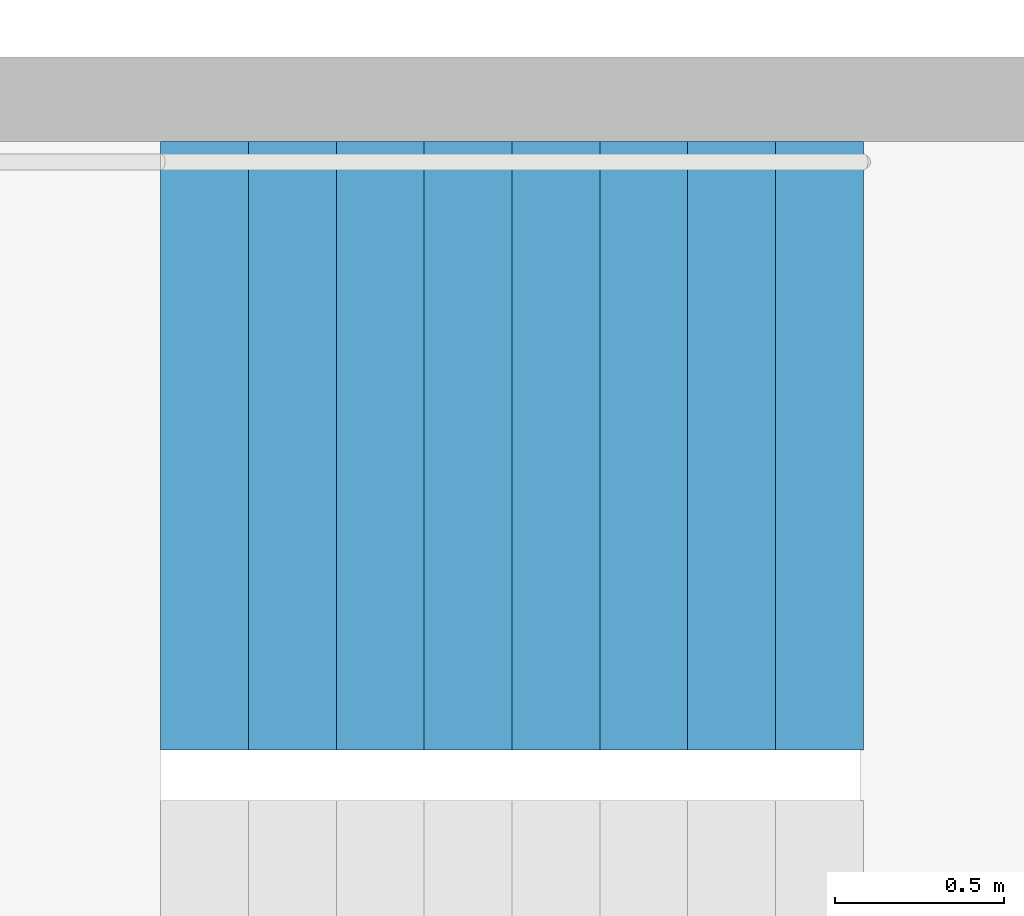
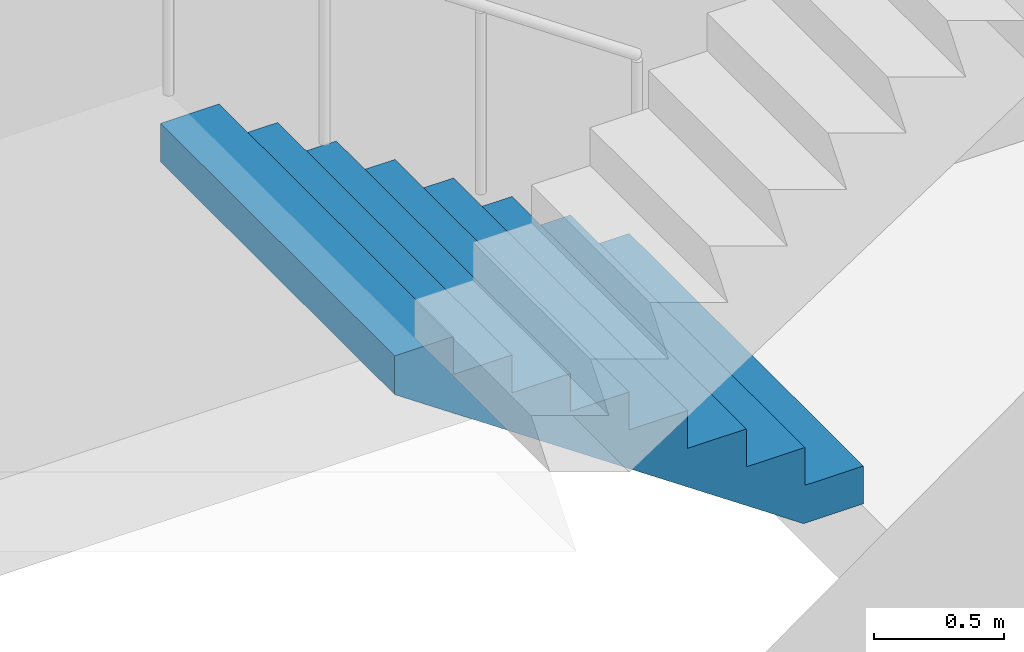
# One storey, part 19 of 26: 1 stair flight, 1 element without a shape of its own.
"""IFC4 building model written with IfcOpenShell, lengths in metres."""

from ifc_helpers import new_model, si_unit, direction, frame, origin, place, context, subcontext, project, spatial, triangles, material, type_object, element, aggregate, save


model = new_model("IFC4")

# Units and contexts
model_context = context("Model", 3, precision=1e-05, world=origin(), true_north=direction((0.0, 1.0)))
body_context = subcontext(model_context, "Body", "Model", "MODEL_VIEW")
ifc_project = project(units=[si_unit("LENGTHUNIT", "METRE"), si_unit("AREAUNIT", "SQUARE_METRE"), si_unit("VOLUMEUNIT", "CUBIC_METRE"), si_unit("PLANEANGLEUNIT", "RADIAN"), si_unit("MASSUNIT", "GRAM", prefix="KILO")], contexts=[model_context])

# Site, building, storey
site_placement = place(None, origin())
site = spatial("IfcSite", under=ifc_project, at=site_placement, CompositionType="ELEMENT")
building_placement = place(site_placement, origin())
building = spatial("IfcBuilding", under=site, at=building_placement, Name="Hakoniwa Tower and Hamabe Station Hall", CompositionType="ELEMENT")
storey_placement = place(building_placement, frame((0.0, 0.0, 134.199951171875)))
storey = spatial("IfcBuildingStorey", under=building, at=storey_placement, Name="L37", CompositionType="ELEMENT", Elevation=134.199951171875)

# Stair, stair flight
ifc_material_1 = material(Name="Concrete C40", Category="concrete")
stair_type = type_object("IfcStairType", Name="ESCAPE STAIR 1800", PredefinedType="HALF_TURN_STAIR", material=ifc_material_1)
stair_placement = place(storey_placement, origin())
stair = element("IfcStair", 1, at=stair_placement, inside=storey, type_object=stair_type, Name="Escape stair ST-2 L37", PredefinedType="HALF_TURN_STAIR")
ifc_material_2 = material(Name="Concrete C40", Category="concrete")
stair_flight_type = type_object("IfcStairFlightType", Name="STAIR FLIGHT 1800", PredefinedType="STRAIGHT", material=ifc_material_2)
stair_flight_placement = place(storey_placement, frame((-23.39990234375, -4.64990234375, 0.0), z_axis=(0.0, 0.0, 1.0), x_axis=(-1.0, 0.0, 0.0)))
stair_flight = element("IfcStairFlight", 2, at=stair_flight_placement, type_object=stair_flight_type, Name="ST-2 flight 1", NumberOfRisers=9, NumberOfTreads=8, PredefinedType="STRAIGHT", RiserHeight=0.177777778, TreadLength=0.26, context=body_context, shape_type="Tessellation", body=[
    triangles([(0.0, 0.89990234375, 0.0), (0.260009765625, 0.89990234375, 0.0), (0.265625, 0.89990234375, 0.0), (0.52001953125, 0.89990234375, 0.174072265625), (0.780029296875, 0.89990234375, 0.351806640625), (1.0400390625, 0.89990234375, 0.529541015625), (1.300048828125, 0.89990234375, 0.707275390625), (1.56005859375, 0.89990234375, 0.885009765625), (1.820068359375, 0.89990234375, 1.062744140625), (2.080078125, 0.89990234375, 1.24072265625), (2.080078125, 0.89990234375, 1.422119140625), (1.820068359375, 0.89990234375, 1.422119140625), (1.820068359375, 0.89990234375, 1.244384765625), (1.56005859375, 0.89990234375, 1.244384765625), (1.56005859375, 0.89990234375, 1.066650390625), (1.300048828125, 0.89990234375, 1.066650390625), (1.300048828125, 0.89990234375, 0.888916015625), (1.0400390625, 0.89990234375, 0.888916015625), (1.0400390625, 0.89990234375, 0.711181640625), (0.780029296875, 0.89990234375, 0.711181640625), (0.780029296875, 0.89990234375, 0.533447265625), (0.52001953125, 0.89990234375, 0.533447265625), (0.52001953125, 0.89990234375, 0.35546875), (0.265625, 0.89990234375, 0.35546875), (0.260009765625, 0.89990234375, 0.35546875), (0.260009765625, 0.89990234375, 0.177734375), (0.0, 0.89990234375, 0.177734375), (0.0, 0.06005859375, 0.0), (0.260009765625, 0.06005859375, 0.0), (0.265625, 0.06005859375, 0.0), (0.52001953125, 0.06005859375, 0.174072265625), (0.780029296875, 0.06005859375, 0.351806640625), (1.0400390625, 0.06005859375, 0.529541015625), (1.300048828125, 0.06005859375, 0.707275390625), (1.56005859375, 0.06005859375, 0.885009765625), (1.820068359375, 0.06005859375, 1.062744140625), (2.080078125, 0.06005859375, 1.24072265625), (2.080078125, 0.06005859375, 1.422119140625), (1.820068359375, 0.06005859375, 1.422119140625), (1.820068359375, 0.06005859375, 1.244384765625), (1.56005859375, 0.06005859375, 1.244384765625), (1.56005859375, 0.06005859375, 1.066650390625), (1.300048828125, 0.06005859375, 1.066650390625), (1.300048828125, 0.06005859375, 0.888916015625), (1.0400390625, 0.06005859375, 0.888916015625), (1.0400390625, 0.06005859375, 0.711181640625), (0.780029296875, 0.06005859375, 0.711181640625), (0.780029296875, 0.06005859375, 0.533447265625), (0.52001953125, 0.06005859375, 0.533447265625), (0.52001953125, 0.06005859375, 0.35546875), (0.265625, 0.06005859375, 0.35546875), (0.260009765625, 0.06005859375, 0.35546875), (0.260009765625, 0.06005859375, 0.177734375), (0.0, 0.06005859375, 0.177734375), (0.0, 0.04296875, 0.0), (0.260009765625, 0.04296875, 0.0), (0.265625, 0.04296875, 0.0), (0.52001953125, 0.04296875, 0.174072265625), (0.780029296875, 0.04296875, 0.351806640625), (1.0400390625, 0.04296875, 0.529541015625), (1.300048828125, 0.04296875, 0.707275390625), (1.56005859375, 0.04296875, 0.885009765625), (1.820068359375, 0.04296875, 1.062744140625), (2.080078125, 0.04296875, 1.24072265625), (2.080078125, 0.04296875, 1.422119140625), (1.820068359375, 0.04296875, 1.422119140625), (1.820068359375, 0.04296875, 1.244384765625), (1.56005859375, 0.04296875, 1.244384765625), (1.56005859375, 0.04296875, 1.066650390625), (1.300048828125, 0.04296875, 1.066650390625), (1.300048828125, 0.04296875, 0.888916015625), (1.0400390625, 0.04296875, 0.888916015625), (1.0400390625, 0.04296875, 0.711181640625), (0.780029296875, 0.04296875, 0.711181640625), (0.780029296875, 0.04296875, 0.533447265625), (0.52001953125, 0.04296875, 0.533447265625), (0.52001953125, 0.04296875, 0.35546875), (0.265625, 0.04296875, 0.35546875), (0.260009765625, 0.04296875, 0.35546875), (0.260009765625, 0.04296875, 0.177734375), (0.0, 0.04296875, 0.177734375), (0.0, 0.025634765625, 0.0), (0.260009765625, 0.025634765625, 0.0), (0.265625, 0.025634765625, 0.0), (0.52001953125, 0.025634765625, 0.174072265625), (0.780029296875, 0.025634765625, 0.351806640625), (1.0400390625, 0.025634765625, 0.529541015625), (1.300048828125, 0.025634765625, 0.707275390625), (1.56005859375, 0.025634765625, 0.885009765625), (1.820068359375, 0.025634765625, 1.062744140625), (2.080078125, 0.025634765625, 1.24072265625), (2.080078125, 0.025634765625, 1.422119140625), (1.820068359375, 0.025634765625, 1.422119140625), (1.820068359375, 0.025634765625, 1.244384765625), (1.56005859375, 0.025634765625, 1.244384765625), (1.56005859375, 0.025634765625, 1.066650390625), (1.300048828125, 0.025634765625, 1.066650390625), (1.300048828125, 0.025634765625, 0.888916015625), (1.0400390625, 0.025634765625, 0.888916015625), (1.0400390625, 0.025634765625, 0.711181640625), (0.780029296875, 0.025634765625, 0.711181640625), (0.780029296875, 0.025634765625, 0.533447265625), (0.52001953125, 0.025634765625, 0.533447265625), (0.52001953125, 0.025634765625, 0.35546875), (0.265625, 0.025634765625, 0.35546875), (0.260009765625, 0.025634765625, 0.35546875), (0.260009765625, 0.025634765625, 0.177734375), (0.0, 0.025634765625, 0.177734375), (0.0, 0.008544921875, 0.0), (0.260009765625, 0.008544921875, 0.0), (0.265625, 0.008544921875, 0.0), (0.52001953125, 0.008544921875, 0.174072265625), (0.780029296875, 0.008544921875, 0.351806640625), (1.0400390625, 0.008544921875, 0.529541015625), (1.300048828125, 0.008544921875, 0.707275390625), (1.56005859375, 0.008544921875, 0.885009765625), (1.820068359375, 0.008544921875, 1.062744140625), (2.080078125, 0.008544921875, 1.24072265625), (2.080078125, 0.008544921875, 1.422119140625), (1.820068359375, 0.008544921875, 1.422119140625), (1.820068359375, 0.008544921875, 1.244384765625), (1.56005859375, 0.008544921875, 1.244384765625), (1.56005859375, 0.008544921875, 1.066650390625), (1.300048828125, 0.008544921875, 1.066650390625), (1.300048828125, 0.008544921875, 0.888916015625), (1.0400390625, 0.008544921875, 0.888916015625), (1.0400390625, 0.008544921875, 0.711181640625), (0.780029296875, 0.008544921875, 0.711181640625), (0.780029296875, 0.008544921875, 0.533447265625), (0.52001953125, 0.008544921875, 0.533447265625), (0.52001953125, 0.008544921875, 0.35546875), (0.265625, 0.008544921875, 0.35546875), (0.260009765625, 0.008544921875, 0.35546875), (0.260009765625, 0.008544921875, 0.177734375), (0.0, 0.008544921875, 0.177734375), (0.0, -0.008544921875, 0.0), (0.260009765625, -0.008544921875, 0.0), (0.265625, -0.008544921875, 0.0), (0.52001953125, -0.008544921875, 0.174072265625), (0.780029296875, -0.008544921875, 0.351806640625), (1.0400390625, -0.008544921875, 0.529541015625), (1.300048828125, -0.008544921875, 0.707275390625), (1.56005859375, -0.008544921875, 0.885009765625), (1.820068359375, -0.008544921875, 1.062744140625), (2.080078125, -0.008544921875, 1.24072265625), (2.080078125, -0.008544921875, 1.422119140625), (1.820068359375, -0.008544921875, 1.422119140625), (1.820068359375, -0.008544921875, 1.244384765625), (1.56005859375, -0.008544921875, 1.244384765625), (1.56005859375, -0.008544921875, 1.066650390625), (1.300048828125, -0.008544921875, 1.066650390625), (1.300048828125, -0.008544921875, 0.888916015625), (1.0400390625, -0.008544921875, 0.888916015625), (1.0400390625, -0.008544921875, 0.711181640625), (0.780029296875, -0.008544921875, 0.711181640625), (0.780029296875, -0.008544921875, 0.533447265625), (0.52001953125, -0.008544921875, 0.533447265625), (0.52001953125, -0.008544921875, 0.35546875), (0.265625, -0.008544921875, 0.35546875), (0.260009765625, -0.008544921875, 0.35546875), (0.260009765625, -0.008544921875, 0.177734375), (0.0, -0.008544921875, 0.177734375), (0.0, -0.025634765625, 0.0), (0.260009765625, -0.025634765625, 0.0), (0.265625, -0.025634765625, 0.0), (0.52001953125, -0.025634765625, 0.174072265625), (0.780029296875, -0.025634765625, 0.351806640625), (1.0400390625, -0.025634765625, 0.529541015625), (1.300048828125, -0.025634765625, 0.707275390625), (1.56005859375, -0.025634765625, 0.885009765625), (1.820068359375, -0.025634765625, 1.062744140625), (2.080078125, -0.025634765625, 1.24072265625), (2.080078125, -0.025634765625, 1.422119140625), (1.820068359375, -0.025634765625, 1.422119140625), (1.820068359375, -0.025634765625, 1.244384765625), (1.56005859375, -0.025634765625, 1.244384765625), (1.56005859375, -0.025634765625, 1.066650390625), (1.300048828125, -0.025634765625, 1.066650390625), (1.300048828125, -0.025634765625, 0.888916015625), (1.0400390625, -0.025634765625, 0.888916015625), (1.0400390625, -0.025634765625, 0.711181640625), (0.780029296875, -0.025634765625, 0.711181640625), (0.780029296875, -0.025634765625, 0.533447265625), (0.52001953125, -0.025634765625, 0.533447265625), (0.52001953125, -0.025634765625, 0.35546875), (0.265625, -0.025634765625, 0.35546875), (0.260009765625, -0.025634765625, 0.35546875), (0.260009765625, -0.025634765625, 0.177734375), (0.0, -0.025634765625, 0.177734375), (0.0, -0.04296875, 0.0), (0.260009765625, -0.04296875, 0.0), (0.265625, -0.04296875, 0.0), (0.52001953125, -0.04296875, 0.174072265625), (0.780029296875, -0.04296875, 0.351806640625), (1.0400390625, -0.04296875, 0.529541015625), (1.300048828125, -0.04296875, 0.707275390625), (1.56005859375, -0.04296875, 0.885009765625), (1.820068359375, -0.04296875, 1.062744140625), (2.080078125, -0.04296875, 1.24072265625), (2.080078125, -0.04296875, 1.422119140625), (1.820068359375, -0.04296875, 1.422119140625), (1.820068359375, -0.04296875, 1.244384765625), (1.56005859375, -0.04296875, 1.244384765625), (1.56005859375, -0.04296875, 1.066650390625), (1.300048828125, -0.04296875, 1.066650390625), (1.300048828125, -0.04296875, 0.888916015625), (1.0400390625, -0.04296875, 0.888916015625), (1.0400390625, -0.04296875, 0.711181640625), (0.780029296875, -0.04296875, 0.711181640625), (0.780029296875, -0.04296875, 0.533447265625), (0.52001953125, -0.04296875, 0.533447265625), (0.52001953125, -0.04296875, 0.35546875), (0.265625, -0.04296875, 0.35546875), (0.260009765625, -0.04296875, 0.35546875), (0.260009765625, -0.04296875, 0.177734375), (0.0, -0.04296875, 0.177734375), (0.0, -0.06005859375, 0.0), (0.260009765625, -0.06005859375, 0.0), (0.265625, -0.06005859375, 0.0), (0.52001953125, -0.06005859375, 0.174072265625), (0.780029296875, -0.06005859375, 0.351806640625), (1.0400390625, -0.06005859375, 0.529541015625), (1.300048828125, -0.06005859375, 0.707275390625), (1.56005859375, -0.06005859375, 0.885009765625), (1.820068359375, -0.06005859375, 1.062744140625), (2.080078125, -0.06005859375, 1.24072265625), (2.080078125, -0.06005859375, 1.422119140625), (1.820068359375, -0.06005859375, 1.422119140625), (1.820068359375, -0.06005859375, 1.244384765625), (1.56005859375, -0.06005859375, 1.244384765625), (1.56005859375, -0.06005859375, 1.066650390625), (1.300048828125, -0.06005859375, 1.066650390625), (1.300048828125, -0.06005859375, 0.888916015625), (1.0400390625, -0.06005859375, 0.888916015625), (1.0400390625, -0.06005859375, 0.711181640625), (0.780029296875, -0.06005859375, 0.711181640625), (0.780029296875, -0.06005859375, 0.533447265625), (0.52001953125, -0.06005859375, 0.533447265625), (0.52001953125, -0.06005859375, 0.35546875), (0.265625, -0.06005859375, 0.35546875), (0.260009765625, -0.06005859375, 0.35546875), (0.260009765625, -0.06005859375, 0.177734375), (0.0, -0.06005859375, 0.177734375), (0.0, -0.89990234375, 0.0), (0.260009765625, -0.89990234375, 0.0), (0.265625, -0.89990234375, 0.0), (0.52001953125, -0.89990234375, 0.174072265625), (0.780029296875, -0.89990234375, 0.351806640625), (1.0400390625, -0.89990234375, 0.529541015625), (1.300048828125, -0.89990234375, 0.707275390625), (1.56005859375, -0.89990234375, 0.885009765625), (1.820068359375, -0.89990234375, 1.062744140625), (2.080078125, -0.89990234375, 1.24072265625), (2.080078125, -0.89990234375, 1.422119140625), (1.820068359375, -0.89990234375, 1.422119140625), (1.820068359375, -0.89990234375, 1.244384765625), (1.56005859375, -0.89990234375, 1.244384765625), (1.56005859375, -0.89990234375, 1.066650390625), (1.300048828125, -0.89990234375, 1.066650390625), (1.300048828125, -0.89990234375, 0.888916015625), (1.0400390625, -0.89990234375, 0.888916015625), (1.0400390625, -0.89990234375, 0.711181640625), (0.780029296875, -0.89990234375, 0.711181640625), (0.780029296875, -0.89990234375, 0.533447265625), (0.52001953125, -0.89990234375, 0.533447265625), (0.52001953125, -0.89990234375, 0.35546875), (0.265625, -0.89990234375, 0.35546875), (0.260009765625, -0.89990234375, 0.35546875), (0.260009765625, -0.89990234375, 0.177734375), (0.0, -0.89990234375, 0.177734375)], [[2, 27, 26], [245, 269, 270], [2, 1, 27], [245, 270, 244], [3, 25, 24], [246, 267, 268], [3, 26, 25], [246, 268, 269], [3, 2, 26], [246, 269, 245], [4, 24, 23], [247, 266, 267], [4, 3, 24], [247, 267, 246], [5, 22, 21], [248, 264, 265], [5, 23, 22], [248, 265, 266], [5, 4, 23], [248, 266, 247], [6, 20, 19], [249, 262, 263], [6, 21, 20], [249, 263, 264], [6, 5, 21], [249, 264, 248], [7, 18, 17], [250, 260, 261], [7, 19, 18], [250, 261, 262], [7, 6, 19], [250, 262, 249], [8, 16, 15], [251, 258, 259], [8, 17, 16], [251, 259, 260], [8, 7, 17], [251, 260, 250], [9, 14, 13], [252, 256, 257], [9, 15, 14], [252, 257, 258], [9, 8, 15], [252, 258, 251], [10, 12, 11], [253, 254, 255], [10, 13, 12], [253, 255, 256], [10, 9, 13], [253, 256, 252], [1, 2, 29], [1, 29, 28], [28, 29, 56], [28, 56, 55], [55, 56, 83], [55, 83, 82], [82, 83, 110], [82, 110, 109], [109, 110, 137], [109, 137, 136], [136, 137, 164], [136, 164, 163], [163, 164, 191], [163, 191, 190], [190, 191, 218], [190, 218, 217], [217, 218, 245], [217, 245, 244], [2, 3, 30], [2, 30, 29], [29, 30, 57], [29, 57, 56], [56, 57, 84], [56, 84, 83], [83, 84, 111], [83, 111, 110], [110, 111, 138], [110, 138, 137], [137, 138, 165], [137, 165, 164], [164, 165, 192], [164, 192, 191], [191, 192, 219], [191, 219, 218], [218, 219, 246], [218, 246, 245], [3, 4, 31], [3, 31, 30], [30, 31, 58], [30, 58, 57], [57, 58, 85], [57, 85, 84], [84, 85, 112], [84, 112, 111], [111, 112, 139], [111, 139, 138], [138, 139, 166], [138, 166, 165], [165, 166, 193], [165, 193, 192], [192, 193, 220], [192, 220, 219], [219, 220, 247], [219, 247, 246], [4, 5, 32], [4, 32, 31], [31, 32, 59], [31, 59, 58], [58, 59, 86], [58, 86, 85], [85, 86, 113], [85, 113, 112], [112, 113, 140], [112, 140, 139], [139, 140, 167], [139, 167, 166], [166, 167, 194], [166, 194, 193], [193, 194, 221], [193, 221, 220], [220, 221, 248], [220, 248, 247], [5, 6, 33], [5, 33, 32], [32, 33, 60], [32, 60, 59], [59, 60, 87], [59, 87, 86], [86, 87, 114], [86, 114, 113], [113, 114, 141], [113, 141, 140], [140, 141, 168], [140, 168, 167], [167, 168, 195], [167, 195, 194], [194, 195, 222], [194, 222, 221], [221, 222, 249], [221, 249, 248], [6, 7, 34], [6, 34, 33], [33, 34, 61], [33, 61, 60], [60, 61, 88], [60, 88, 87], [87, 88, 115], [87, 115, 114], [114, 115, 142], [114, 142, 141], [141, 142, 169], [141, 169, 168], [168, 169, 196], [168, 196, 195], [195, 196, 223], [195, 223, 222], [222, 223, 250], [222, 250, 249], [7, 8, 35], [7, 35, 34], [34, 35, 62], [34, 62, 61], [61, 62, 89], [61, 89, 88], [88, 89, 116], [88, 116, 115], [115, 116, 143], [115, 143, 142], [142, 143, 170], [142, 170, 169], [169, 170, 197], [169, 197, 196], [196, 197, 224], [196, 224, 223], [223, 224, 251], [223, 251, 250], [8, 9, 36], [8, 36, 35], [35, 36, 63], [35, 63, 62], [62, 63, 90], [62, 90, 89], [89, 90, 117], [89, 117, 116], [116, 117, 144], [116, 144, 143], [143, 144, 171], [143, 171, 170], [170, 171, 198], [170, 198, 197], [197, 198, 225], [197, 225, 224], [224, 225, 252], [224, 252, 251], [9, 10, 37], [9, 37, 36], [36, 37, 64], [36, 64, 63], [63, 64, 91], [63, 91, 90], [90, 91, 118], [90, 118, 117], [117, 118, 145], [117, 145, 144], [144, 145, 172], [144, 172, 171], [171, 172, 199], [171, 199, 198], [198, 199, 226], [198, 226, 225], [225, 226, 253], [225, 253, 252], [10, 11, 38], [10, 38, 37], [37, 38, 65], [37, 65, 64], [64, 65, 92], [64, 92, 91], [91, 92, 119], [91, 119, 118], [118, 119, 146], [118, 146, 145], [145, 146, 173], [145, 173, 172], [172, 173, 200], [172, 200, 199], [199, 200, 227], [199, 227, 226], [226, 227, 254], [226, 254, 253], [11, 12, 39], [11, 39, 38], [38, 39, 66], [38, 66, 65], [65, 66, 93], [65, 93, 92], [92, 93, 120], [92, 120, 119], [119, 120, 147], [119, 147, 146], [146, 147, 174], [146, 174, 173], [173, 174, 201], [173, 201, 200], [200, 201, 228], [200, 228, 227], [227, 228, 255], [227, 255, 254], [12, 13, 40], [12, 40, 39], [39, 40, 67], [39, 67, 66], [66, 67, 94], [66, 94, 93], [93, 94, 121], [93, 121, 120], [120, 121, 148], [120, 148, 147], [147, 148, 175], [147, 175, 174], [174, 175, 202], [174, 202, 201], [201, 202, 229], [201, 229, 228], [228, 229, 256], [228, 256, 255], [13, 14, 41], [13, 41, 40], [40, 41, 68], [40, 68, 67], [67, 68, 95], [67, 95, 94], [94, 95, 122], [94, 122, 121], [121, 122, 149], [121, 149, 148], [148, 149, 176], [148, 176, 175], [175, 176, 203], [175, 203, 202], [202, 203, 230], [202, 230, 229], [229, 230, 257], [229, 257, 256], [14, 15, 42], [14, 42, 41], [41, 42, 69], [41, 69, 68], [68, 69, 96], [68, 96, 95], [95, 96, 123], [95, 123, 122], [122, 123, 150], [122, 150, 149], [149, 150, 177], [149, 177, 176], [176, 177, 204], [176, 204, 203], [203, 204, 231], [203, 231, 230], [230, 231, 258], [230, 258, 257], [15, 16, 43], [15, 43, 42], [42, 43, 70], [42, 70, 69], [69, 70, 97], [69, 97, 96], [96, 97, 124], [96, 124, 123], [123, 124, 151], [123, 151, 150], [150, 151, 178], [150, 178, 177], [177, 178, 205], [177, 205, 204], [204, 205, 232], [204, 232, 231], [231, 232, 259], [231, 259, 258], [16, 17, 44], [16, 44, 43], [43, 44, 71], [43, 71, 70], [70, 71, 98], [70, 98, 97], [97, 98, 125], [97, 125, 124], [124, 125, 152], [124, 152, 151], [151, 152, 179], [151, 179, 178], [178, 179, 206], [178, 206, 205], [205, 206, 233], [205, 233, 232], [232, 233, 260], [232, 260, 259], [17, 18, 45], [17, 45, 44], [44, 45, 72], [44, 72, 71], [71, 72, 99], [71, 99, 98], [98, 99, 126], [98, 126, 125], [125, 126, 153], [125, 153, 152], [152, 153, 180], [152, 180, 179], [179, 180, 207], [179, 207, 206], [206, 207, 234], [206, 234, 233], [233, 234, 261], [233, 261, 260], [18, 19, 46], [18, 46, 45], [45, 46, 73], [45, 73, 72], [72, 73, 100], [72, 100, 99], [99, 100, 127], [99, 127, 126], [126, 127, 154], [126, 154, 153], [153, 154, 181], [153, 181, 180], [180, 181, 208], [180, 208, 207], [207, 208, 235], [207, 235, 234], [234, 235, 262], [234, 262, 261], [19, 20, 47], [19, 47, 46], [46, 47, 74], [46, 74, 73], [73, 74, 101], [73, 101, 100], [100, 101, 128], [100, 128, 127], [127, 128, 155], [127, 155, 154], [154, 155, 182], [154, 182, 181], [181, 182, 209], [181, 209, 208], [208, 209, 236], [208, 236, 235], [235, 236, 263], [235, 263, 262], [20, 21, 48], [20, 48, 47], [47, 48, 75], [47, 75, 74], [74, 75, 102], [74, 102, 101], [101, 102, 129], [101, 129, 128], [128, 129, 156], [128, 156, 155], [155, 156, 183], [155, 183, 182], [182, 183, 210], [182, 210, 209], [209, 210, 237], [209, 237, 236], [236, 237, 264], [236, 264, 263], [21, 22, 49], [21, 49, 48], [48, 49, 76], [48, 76, 75], [75, 76, 103], [75, 103, 102], [102, 103, 130], [102, 130, 129], [129, 130, 157], [129, 157, 156], [156, 157, 184], [156, 184, 183], [183, 184, 211], [183, 211, 210], [210, 211, 238], [210, 238, 237], [237, 238, 265], [237, 265, 264], [22, 23, 50], [22, 50, 49], [49, 50, 77], [49, 77, 76], [76, 77, 104], [76, 104, 103], [103, 104, 131], [103, 131, 130], [130, 131, 158], [130, 158, 157], [157, 158, 185], [157, 185, 184], [184, 185, 212], [184, 212, 211], [211, 212, 239], [211, 239, 238], [238, 239, 266], [238, 266, 265], [23, 24, 51], [23, 51, 50], [50, 51, 78], [50, 78, 77], [77, 78, 105], [77, 105, 104], [104, 105, 132], [104, 132, 131], [131, 132, 159], [131, 159, 158], [158, 159, 186], [158, 186, 185], [185, 186, 213], [185, 213, 212], [212, 213, 240], [212, 240, 239], [239, 240, 267], [239, 267, 266], [24, 25, 52], [24, 52, 51], [51, 52, 79], [51, 79, 78], [78, 79, 106], [78, 106, 105], [105, 106, 133], [105, 133, 132], [132, 133, 160], [132, 160, 159], [159, 160, 187], [159, 187, 186], [186, 187, 214], [186, 214, 213], [213, 214, 241], [213, 241, 240], [240, 241, 268], [240, 268, 267], [25, 26, 53], [25, 53, 52], [52, 53, 80], [52, 80, 79], [79, 80, 107], [79, 107, 106], [106, 107, 134], [106, 134, 133], [133, 134, 161], [133, 161, 160], [160, 161, 188], [160, 188, 187], [187, 188, 215], [187, 215, 214], [214, 215, 242], [214, 242, 241], [241, 242, 269], [241, 269, 268], [26, 27, 54], [26, 54, 53], [53, 54, 81], [53, 81, 80], [80, 81, 108], [80, 108, 107], [107, 108, 135], [107, 135, 134], [134, 135, 162], [134, 162, 161], [161, 162, 189], [161, 189, 188], [188, 189, 216], [188, 216, 215], [215, 216, 243], [215, 243, 242], [242, 243, 270], [242, 270, 269], [27, 1, 28], [27, 28, 54], [54, 28, 55], [54, 55, 81], [81, 55, 82], [81, 82, 108], [108, 82, 109], [108, 109, 135], [135, 109, 136], [135, 136, 162], [162, 136, 163], [162, 163, 189], [189, 163, 190], [189, 190, 216], [216, 190, 217], [216, 217, 243], [243, 217, 244], [243, 244, 270]], closed=True),
])
aggregate(stair, [stair_flight])

save(model, "model.ifc")
